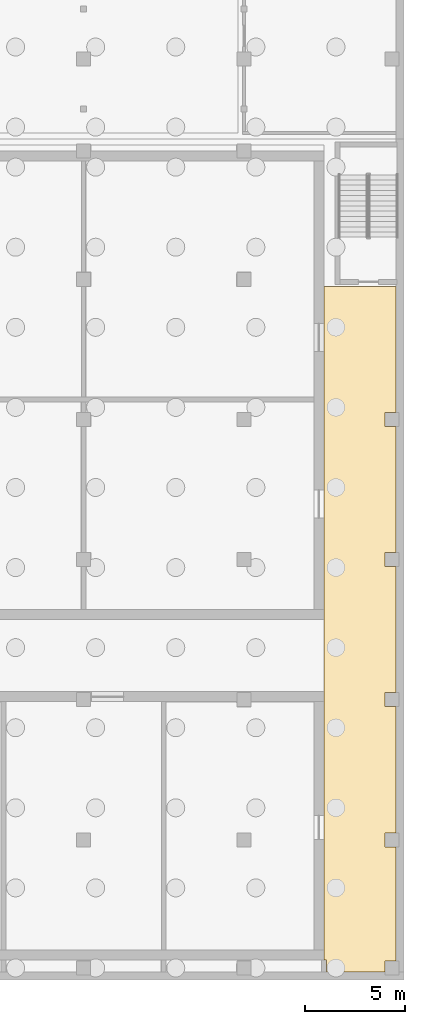
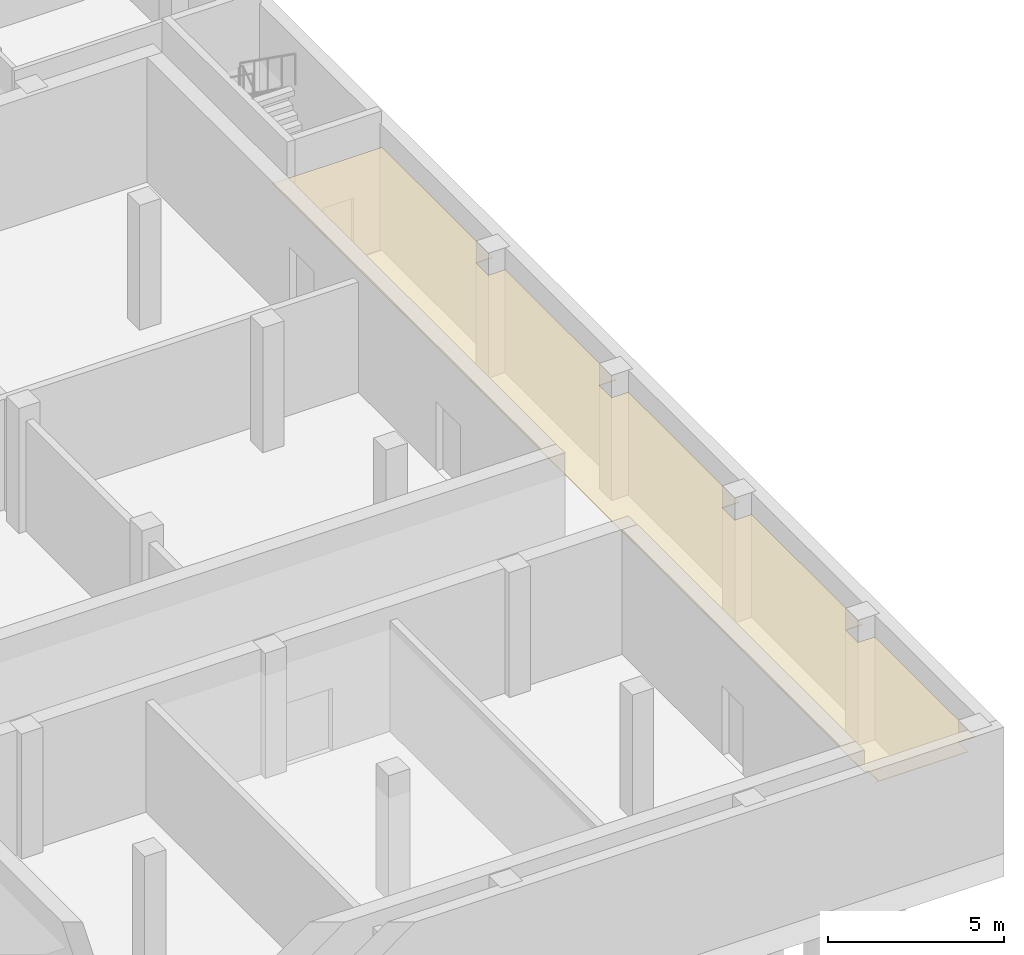
# One storey, part 16 of 21: 1 covering.
"""IFC4 building model written with IfcOpenShell, lengths in metres."""

import ifcopenshell
import ifcopenshell.guid

model = None  # the IFC model being written
_history = None  # IfcOwnerHistory: only IFC2X3 demands one
_inside = {}  # id of a spatial element -> (the spatial element, [elements in it])
_under = {}  # id of a project, library or spatial element -> (it, [spatial elements below it])
_declared = {}  # id of a project -> (the project, [libraries it declares])
_typed = {}  # id of a type object -> (the type object, [elements of that type])
_made_of = {}  # id of a material, layer set ... -> (it, [elements and type objects made of it])


def new_model(schema):
    """Start an empty IFC model of exactly this schema.

    Asked for "IFC4X3", IfcOpenShell would pick the latest addendum, in which some entities
    have other attributes; the version numbers below select the first issue.
    IFC2X3 requires an IfcOwnerHistory on every rooted entity: one is made here for all.
    """
    global model, _history
    if schema == "IFC4X3":
        model = ifcopenshell.file(schema_version=(4, 3, 0, 0))
    else:
        model = ifcopenshell.file(schema=schema)
    _inside.clear()
    _under.clear()
    _declared.clear()
    _typed.clear()
    _made_of.clear()
    _history = None
    if model.schema == "IFC2X3":
        org = make("IfcOrganization", Name="unknown")
        user = make(
            "IfcPersonAndOrganization",
            ThePerson=make("IfcPerson", FamilyName="unknown"),
            TheOrganization=org,
        )
        app = make(
            "IfcApplication",
            ApplicationDeveloper=org,
            Version="unknown",
            ApplicationFullName="unknown",
            ApplicationIdentifier="unknown",
        )
        _history = make(
            "IfcOwnerHistory",
            OwningUser=user,
            OwningApplication=app,
            ChangeAction="ADDED",
            CreationDate=0,
        )
    return model


def make(cls, **values):
    """One entity of the class cls with the attributes given. An attribute that is None is left unset."""
    return model.create_entity(
        cls, **{name: value for name, value in values.items() if value is not None}
    )


def rooted(cls, **values):
    """An entity with a GlobalId (a new one), such as an element, a storey or a relation."""
    return make(cls, GlobalId=ifcopenshell.guid.new(), OwnerHistory=_history, **values)


def si_unit(unit_type, name, prefix=None):
    """IfcSIUnit, for example si_unit("LENGTHUNIT", "METRE", prefix="MILLI")."""
    return make("IfcSIUnit", UnitType=unit_type, Prefix=prefix, Name=name)


def assignment(units):
    """IfcUnitAssignment: the units of a project."""
    return None if units is None else make("IfcUnitAssignment", Units=units)


def point(xyz):
    """IfcCartesianPoint."""
    return None if xyz is None else make("IfcCartesianPoint", Coordinates=xyz)


def direction(xyz):
    """IfcDirection."""
    return None if xyz is None else make("IfcDirection", DirectionRatios=xyz)


def frame(location, z_axis=None, x_axis=None):
    """IfcAxis2Placement3D, a coordinate frame: its origin and axes. An axis left out is left unset."""
    return make(
        "IfcAxis2Placement3D",
        Location=point(location),
        Axis=direction(z_axis),
        RefDirection=direction(x_axis),
    )


def origin():
    """The frame at (0, 0, 0) with its axes left unset."""
    return frame((0.0, 0.0, 0.0))


def place(relative_to, where):
    """IfcLocalPlacement: puts the frame where relative to a parent placement (None: the world)."""
    return make(
        "IfcLocalPlacement", PlacementRelTo=relative_to, RelativePlacement=where
    )


def context(
    kind, dimensions, precision=None, world=None, true_north=None, identifier=None
):
    """IfcGeometricRepresentationContext, for example the 3D "Model" context."""
    return make(
        "IfcGeometricRepresentationContext",
        ContextIdentifier=identifier,
        ContextType=kind,
        CoordinateSpaceDimension=dimensions,
        Precision=precision,
        WorldCoordinateSystem=world,
        TrueNorth=true_north,
    )


def subcontext(parent, identifier, kind, view, scale=None):
    """IfcGeometricRepresentationSubContext, for example "Body" below "Model"."""
    return make(
        "IfcGeometricRepresentationSubContext",
        ContextIdentifier=identifier,
        ContextType=kind,
        ParentContext=parent,
        TargetScale=scale,
        TargetView=view,
    )


def project(units=None, contexts=None):
    """IfcProject with its units and contexts."""
    return rooted(
        "IfcProject",
        Name="project",
        RepresentationContexts=contexts,
        UnitsInContext=assignment(units),
    )


def spatial(cls, under=None, at=None, **own):
    """A site, building, storey or space (cls), placed at a placement, below another one or the project."""
    s = rooted(cls, ObjectPlacement=at, **own)
    if under is not None:
        _under.setdefault(under.id(), (under, []))[1].append(s)
    return s


def polyline(points):
    """IfcPolyline through the points."""
    return make("IfcPolyline", Points=[point(p) for p in points])


def outline(outer, holes=None, kind="AREA"):
    """IfcArbitraryClosedProfileDef: a profile drawn as a closed curve; with holes, ...WithVoids."""
    if holes is None:
        return make("IfcArbitraryClosedProfileDef", ProfileType=kind, OuterCurve=outer)
    return make(
        "IfcArbitraryProfileDefWithVoids",
        ProfileType=kind,
        OuterCurve=outer,
        InnerCurves=holes,
    )


def extrude(swept, where, along, depth):
    """IfcExtrudedAreaSolid: the profile swept, set in the frame where, extruded along a direction by depth."""
    return make(
        "IfcExtrudedAreaSolid",
        SweptArea=swept,
        Position=where,
        ExtrudedDirection=direction(along),
        Depth=depth,
    )


def shape(context_of_items, identifier, shape_type, items):
    """IfcShapeRepresentation: the items that make up one representation, for example the "Body"."""
    return make(
        "IfcShapeRepresentation",
        ContextOfItems=context_of_items,
        RepresentationIdentifier=identifier,
        RepresentationType=shape_type,
        Items=items,
    )


def material(Name=None, Category=None):
    """IfcMaterial."""
    return make("IfcMaterial", Name=Name, Category=Category)


def layer(
    of_material, thickness, ventilated=None, Name=None, Category=None, Priority=None
):
    """IfcMaterialLayer: one layer of a wall or slab, of a material (None: an air gap)."""
    return make(
        "IfcMaterialLayer",
        Material=of_material,
        LayerThickness=thickness,
        IsVentilated=ventilated,
        Name=Name,
        Category=Category,
        Priority=Priority,
    )


def layer_set(layers, Name=None):
    """IfcMaterialLayerSet."""
    return make("IfcMaterialLayerSet", MaterialLayers=layers, LayerSetName=Name)


def made_of(thing, what):
    """Note that an element or type object is made of a material, layer set ...; save() writes the relation."""
    if what is not None:
        _made_of.setdefault(what.id(), (what, []))[1].append(thing)
    return thing


def type_object(cls, material=None, **own):
    """A type object (cls), such as IfcWallType, which elements share."""
    return made_of(rooted(cls, **own), material)


def element(
    cls,
    number,
    at=None,
    inside=None,
    cuts=None,
    type_object=None,
    material=None,
    context=None,
    identifier="Body",
    shape_type=None,
    held_by="IfcProductDefinitionShape",
    body=None,
    shapes=None,
    **own,
):
    """One element of the class cls, such as IfcWall. Its Tag is "e" and its number.

    at: its placement. inside: the storey or other place that contains it. cuts: it is an
    opening in that element (IfcRelVoidsElement). A single representation is given by context,
    identifier, shape_type and body (its items); several are given by shapes. held_by: the class
    of the entity that holds the representations. save() writes the other relations.
    """
    e = rooted(cls, Tag="e%d" % number, ObjectPlacement=at, **own)
    if body is not None:
        shapes = [shape(context, identifier, shape_type, body)]
    if shapes is not None:
        e.Representation = make(held_by, Representations=shapes)
    if inside is not None:
        _inside.setdefault(inside.id(), (inside, []))[1].append(e)
    if cuts is not None:
        rooted(
            "IfcRelVoidsElement", RelatingBuildingElement=cuts, RelatedOpeningElement=e
        )
    if type_object is not None:
        _typed.setdefault(type_object.id(), (type_object, []))[1].append(e)
    return made_of(e, material)


def aggregate(whole, parts):
    """IfcRelAggregates: a whole, such as a stair, and the parts it consists of."""
    return rooted("IfcRelAggregates", RelatingObject=whole, RelatedObjects=parts)


def save(model, path):
    """Write the relations noted so far, then the file.

    IfcRelAggregates (storeys below a building ...), IfcRelContainedInSpatialStructure (elements
    in a storey), IfcRelDefinesByType, IfcRelAssociatesMaterial and IfcRelDeclares: one each for
    every whole, place, type object, material and project.
    """
    for whole, parts in _under.values():
        aggregate(whole, parts)
    for where, things in _inside.values():
        rooted(
            "IfcRelContainedInSpatialStructure",
            RelatedElements=things,
            RelatingStructure=where,
        )
    for kind, things in _typed.values():
        rooted("IfcRelDefinesByType", RelatedObjects=things, RelatingType=kind)
    for what, things in _made_of.values():
        rooted("IfcRelAssociatesMaterial", RelatedObjects=things, RelatingMaterial=what)
    for by, libraries in _declared.values():
        rooted("IfcRelDeclares", RelatingContext=by, RelatedDefinitions=libraries)
    model.write(path)


model = new_model("IFC4")

# Units and contexts
model_context = context("Model", 3, precision=1e-05, world=origin(), true_north=direction((0.0, 1.0)))
body_context = subcontext(model_context, "Body", "Model", "MODEL_VIEW")
ifc_project = project(units=[si_unit("LENGTHUNIT", "METRE"), si_unit("AREAUNIT", "SQUARE_METRE"), si_unit("VOLUMEUNIT", "CUBIC_METRE"), si_unit("PLANEANGLEUNIT", "RADIAN"), si_unit("MASSUNIT", "GRAM", prefix="KILO")], contexts=[model_context])

# Site, building, storey
site_placement = place(None, origin())
site = spatial("IfcSite", under=ifc_project, at=site_placement, CompositionType="ELEMENT")
building_placement = place(site_placement, origin())
building = spatial("IfcBuilding", under=site, at=building_placement, Name="Lantern Court Media Centre", CompositionType="ELEMENT")
storey_placement = place(building_placement, frame((0.0, 0.0, -4.800048828125)))
storey = spatial("IfcBuildingStorey", under=building, at=storey_placement, Name="B1", CompositionType="ELEMENT", Elevation=-4.800048828125)

# Covering
ifc_material = material(Name="Mineral fibre ceiling tile")
ifc_layer = layer(ifc_material, 0.02001953125)
ifc_layer_set = layer_set([ifc_layer], Name="Mineral fibre ceiling tile")
covering_type = type_object("IfcCoveringType", Name="Suspended ceiling tile", PredefinedType="CEILING", material=ifc_layer_set)
covering_placement = place(storey_placement, frame((0.0, 0.0, 3.60009765625)))
element("IfcCovering", 1, at=covering_placement, inside=storey, type_object=covering_type, Name="Plant Corridor ceiling", PredefinedType="CEILING", context=body_context, shape_type="SweptSolid", body=[
    extrude(outline(polyline([(103.599609375, 32.64990234375), (103.599609375, 26.3505859375), (103.049560546875, 26.35009765625), (103.049560546875, 25.649658203125), (103.599609375, 25.6494140625), (103.599609375, 19.3505859375), (103.049560546875, 19.35009765625), (103.049560546875, 18.649658203125), (103.599609375, 18.6494140625), (103.599609375, 12.3505859375), (103.049560546875, 12.35009765625), (103.049560546875, 11.649658203125), (103.599609375, 11.6494140625), (103.599609375, 5.3505859375), (103.049560546875, 5.35009765625), (103.049560546875, 4.649658203125), (103.599609375, 4.6494140625), (103.599609375, -1.049560546875), (103.049560546875, -1.049560546875), (103.049560546875, -1.599609375), (100.0, -1.599609375), (100.12060546875, -1.594970703125), (100.12060546875, -1.0048828125), (100.0, -1.00439453125), (100.00048828125, 32.64990234375), (103.599609375, 32.64990234375)])), origin(), (0.0, 0.0, 1.0), 0.02001953125),
])

save(model, "model.ifc")
